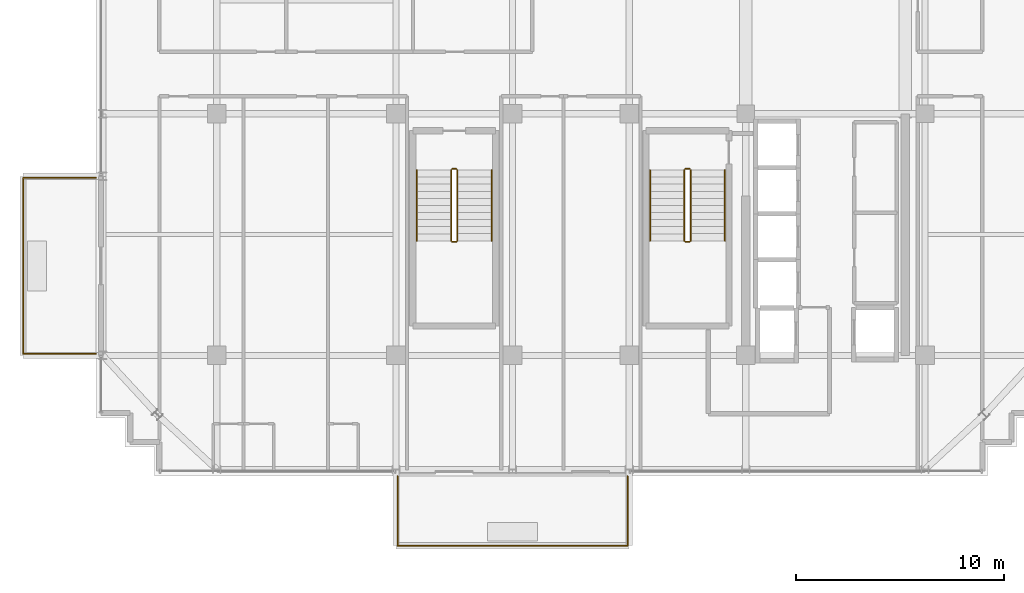
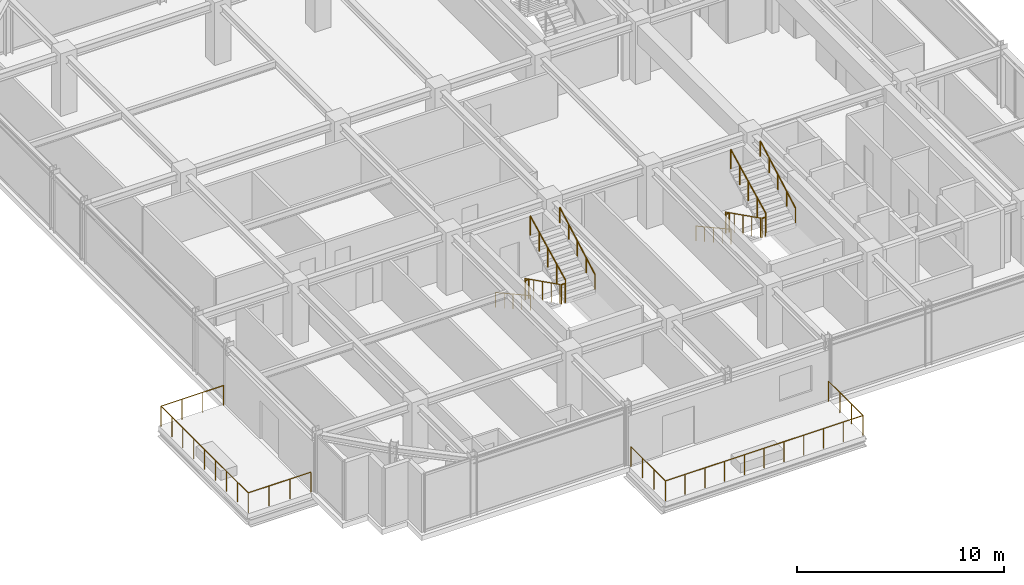
# One storey, part 29 of 31: 14 railings.
"""IFC4 building model written with IfcOpenShell, lengths in metres."""

from ifc_helpers import new_model, si_unit, direction, frame, origin, origin_2d, place, context, subcontext, project, spatial, circle, extrude, material, type_object, element, save


model = new_model("IFC4")

# Units and contexts
model_context = context("Model", 3, precision=1e-05, world=origin(), true_north=direction((0.0, 1.0)))
body_context = subcontext(model_context, "Body", "Model", "MODEL_VIEW")
ifc_project = project(units=[si_unit("LENGTHUNIT", "METRE"), si_unit("AREAUNIT", "SQUARE_METRE"), si_unit("VOLUMEUNIT", "CUBIC_METRE"), si_unit("PLANEANGLEUNIT", "RADIAN"), si_unit("MASSUNIT", "GRAM", prefix="KILO")], contexts=[model_context])

# Site, building, storey
site_placement = place(None, origin())
site = spatial("IfcSite", under=ifc_project, at=site_placement, CompositionType="ELEMENT")
building_placement = place(site_placement, origin())
building = spatial("IfcBuilding", under=site, at=building_placement, Name="Nahalor Promenade Grand Hotel", CompositionType="ELEMENT")
storey_placement = place(building_placement, frame((0.0, 0.0, 277.550048828125)))
storey = spatial("IfcBuildingStorey", under=building, at=storey_placement, Name="L71", CompositionType="ELEMENT", Elevation=277.550048828125)

# Railings
ifc_material_1 = material(Name="Anodised Bronze Aluminium EN AW-6063 T6", Category="aluminium")
railing_type_1 = type_object("IfcRailingType", Name="Bronze Balcony Guardrail 1200 mm", PredefinedType="GUARDRAIL", material=ifc_material_1)
railing_1_placement = place(storey_placement, frame((-8.320068359375, -22.800048828125, 0.0)))
element("IfcRailing", 1, at=railing_1_placement, inside=storey, type_object=railing_type_1, Name="L71 Balcony Guardrail 1", PredefinedType="GUARDRAIL", context=body_context, shape_type="SweptSolid", body=[
    extrude(circle(Radius=0.024048, at=origin_2d()), frame((0.0, 0.0, 1.17578125), z_axis=(0.0, -1.0, 0.0), x_axis=(1.0, 0.0, 0.0)), (0.0, 0.0, 1.0), 3.337890625),
    extrude(circle(Radius=0.024048, at=origin_2d()), frame((0.001953125, -3.33984375, 1.17578125), z_axis=(1.0, 0.0, 0.0), x_axis=(0.0, 1.0, 0.0)), (0.0, 0.0, 1.0), 11.0361328125),
    extrude(circle(Radius=0.024048, at=origin_2d()), frame((11.0400390625, -3.337890625, 1.17578125), z_axis=(0.0, 1.0, 0.0), x_axis=(-1.0, 0.0, 0.0)), (0.0, 0.0, 1.0), 3.337890625),
    extrude(circle(Radius=0.020996, at=origin_2d()), origin(), (0.0, 0.0, 1.0), 1.14990234375),
    extrude(circle(Radius=0.020996, at=origin_2d()), frame((0.0, -1.11328125, 0.0)), (0.0, 0.0, 1.0), 1.14990234375),
    extrude(circle(Radius=0.020996, at=origin_2d()), frame((0.0, -2.2265625, 0.0)), (0.0, 0.0, 1.0), 1.14990234375),
    extrude(circle(Radius=0.020996, at=origin_2d()), frame((0.0, -3.33984375, 0.0)), (0.0, 0.0, 1.0), 1.14990234375),
    extrude(circle(Radius=0.020996, at=origin_2d()), frame((1.10400390625, -3.33984375, 0.0)), (0.0, 0.0, 1.0), 1.14990234375),
    extrude(circle(Radius=0.020996, at=origin_2d()), frame((2.2080078125, -3.33984375, 0.0)), (0.0, 0.0, 1.0), 1.14990234375),
    extrude(circle(Radius=0.020996, at=origin_2d()), frame((3.31201171875, -3.33984375, 0.0)), (0.0, 0.0, 1.0), 1.14990234375),
    extrude(circle(Radius=0.020996, at=origin_2d()), frame((4.416015625, -3.33984375, 0.0)), (0.0, 0.0, 1.0), 1.14990234375),
    extrude(circle(Radius=0.020996, at=origin_2d()), frame((5.52001953125, -3.33984375, 0.0)), (0.0, 0.0, 1.0), 1.14990234375),
    extrude(circle(Radius=0.020996, at=origin_2d()), frame((6.6240234375, -3.33984375, 0.0)), (0.0, 0.0, 1.0), 1.14990234375),
    extrude(circle(Radius=0.020996, at=origin_2d()), frame((7.72802734375, -3.33984375, 0.0)), (0.0, 0.0, 1.0), 1.14990234375),
    extrude(circle(Radius=0.020996, at=origin_2d()), frame((8.83203125, -3.33984375, 0.0)), (0.0, 0.0, 1.0), 1.14990234375),
    extrude(circle(Radius=0.020996, at=origin_2d()), frame((9.93603515625, -3.33984375, 0.0)), (0.0, 0.0, 1.0), 1.14990234375),
    extrude(circle(Radius=0.020996, at=origin_2d()), frame((11.0400390625, -3.33984375, 0.0)), (0.0, 0.0, 1.0), 1.14990234375),
    extrude(circle(Radius=0.020996, at=origin_2d()), frame((11.0400390625, -2.2265625, 0.0)), (0.0, 0.0, 1.0), 1.14990234375),
    extrude(circle(Radius=0.020996, at=origin_2d()), frame((11.0400390625, -1.11328125, 0.0)), (0.0, 0.0, 1.0), 1.14990234375),
    extrude(circle(Radius=0.020996, at=origin_2d()), frame((11.0400390625, 0.0, 0.0)), (0.0, 0.0, 1.0), 1.14990234375),
])
railing_2_placement = place(storey_placement, frame((-22.800048828125, -16.919921875, 0.0)))
element("IfcRailing", 2, at=railing_2_placement, inside=storey, type_object=railing_type_1, Name="L71 Balcony Guardrail 2", PredefinedType="GUARDRAIL", context=body_context, shape_type="SweptSolid", body=[
    extrude(circle(Radius=0.024048, at=origin_2d()), frame((0.0, 0.0, 1.17578125), z_axis=(-1.0, 0.0, 0.0), x_axis=(0.0, -1.0, 0.0)), (0.0, 0.0, 1.0), 3.498046875),
    extrude(circle(Radius=0.024048, at=origin_2d()), frame((-3.5, 0.001953125, 1.17578125), z_axis=(0.0, 1.0, 0.0), x_axis=(-1.0, 0.0, 0.0)), (0.0, 0.0, 1.0), 8.43603515625),
    extrude(circle(Radius=0.024048, at=origin_2d()), frame((-3.498046875, 8.43994140625, 1.17578125), z_axis=(1.0, 0.0, 0.0), x_axis=(0.0, 1.0, 0.0)), (0.0, 0.0, 1.0), 3.498046875),
    extrude(circle(Radius=0.020996, at=origin_2d()), origin(), (0.0, 0.0, 1.0), 1.14990234375),
    extrude(circle(Radius=0.020996, at=origin_2d()), frame((-1.166748046875, 0.0, 0.0)), (0.0, 0.0, 1.0), 1.14990234375),
    extrude(circle(Radius=0.020996, at=origin_2d()), frame((-2.333251953125, 0.0, 0.0)), (0.0, 0.0, 1.0), 1.14990234375),
    extrude(circle(Radius=0.020996, at=origin_2d()), frame((-3.5, 0.0, 0.0)), (0.0, 0.0, 1.0), 1.14990234375),
    extrude(circle(Radius=0.020996, at=origin_2d()), frame((-3.5, 1.054931640625, 0.0)), (0.0, 0.0, 1.0), 1.14990234375),
    extrude(circle(Radius=0.020996, at=origin_2d()), frame((-3.5, 2.10986328125, 0.0)), (0.0, 0.0, 1.0), 1.14990234375),
    extrude(circle(Radius=0.020996, at=origin_2d()), frame((-3.5, 3.1650390625, 0.0)), (0.0, 0.0, 1.0), 1.14990234375),
    extrude(circle(Radius=0.020996, at=origin_2d()), frame((-3.5, 4.219970703125, 0.0)), (0.0, 0.0, 1.0), 1.14990234375),
    extrude(circle(Radius=0.020996, at=origin_2d()), frame((-3.5, 5.27490234375, 0.0)), (0.0, 0.0, 1.0), 1.14990234375),
    extrude(circle(Radius=0.020996, at=origin_2d()), frame((-3.5, 6.330078125, 0.0)), (0.0, 0.0, 1.0), 1.14990234375),
    extrude(circle(Radius=0.020996, at=origin_2d()), frame((-3.5, 7.385009765625, 0.0)), (0.0, 0.0, 1.0), 1.14990234375),
    extrude(circle(Radius=0.020996, at=origin_2d()), frame((-3.5, 8.43994140625, 0.0)), (0.0, 0.0, 1.0), 1.14990234375),
    extrude(circle(Radius=0.020996, at=origin_2d()), frame((-2.333251953125, 8.43994140625, 0.0)), (0.0, 0.0, 1.0), 1.14990234375),
    extrude(circle(Radius=0.020996, at=origin_2d()), frame((-1.166748046875, 8.43994140625, 0.0)), (0.0, 0.0, 1.0), 1.14990234375),
    extrude(circle(Radius=0.020996, at=origin_2d()), frame((0.0, 8.43994140625, 0.0)), (0.0, 0.0, 1.0), 1.14990234375),
])
ifc_material_2 = material(Name="Steel S355JR", Category="steel")
railing_type_2 = type_object("IfcRailingType", Name="Steel Stair Guardrail 1150 mm", PredefinedType="GUARDRAIL", material=ifc_material_2)
railing_3_placement = place(storey_placement, frame((5.449951171875, -8.10009765625, 0.17041015625)))
element("IfcRailing", 3, at=railing_3_placement, inside=storey, type_object=railing_type_2, Name="L71 ST2 stair guard 1", PredefinedType="GUARDRAIL", context=body_context, shape_type="SweptSolid", body=[
    extrude(circle(Radius=0.024048, at=origin_2d()), frame((0.0, 0.0, 1.1259765625), z_axis=(0.0, -0.89393879905, 0.448189048899), x_axis=(1.0, 0.0, 0.0)), (0.0, 0.0, 1.0), 3.80322265625),
    extrude(circle(Radius=0.020996, at=origin_2d()), origin(), (0.0, 0.0, 1.0), 1.099853515625),
    extrude(circle(Radius=0.020996, at=origin_2d()), frame((0.0, -0.85009765625, 0.42626953125)), (0.0, 0.0, 1.0), 1.099853515625),
    extrude(circle(Radius=0.020996, at=origin_2d()), frame((0.0, -1.699951171875, 0.852294921875)), (0.0, 0.0, 1.0), 1.099853515625),
    extrude(circle(Radius=0.020996, at=origin_2d()), frame((0.0, -2.5498046875, 1.2783203125)), (0.0, 0.0, 1.0), 1.099853515625),
    extrude(circle(Radius=0.020996, at=origin_2d()), frame((0.0, -3.39990234375, 1.70458984375)), (0.0, 0.0, 1.0), 1.099853515625),
])
railing_4_placement = place(storey_placement, frame((5.5, -11.550048828125, 1.875)))
element("IfcRailing", 4, at=railing_4_placement, inside=storey, type_object=railing_type_2, Name="L71 ST2 stair guard 2", PredefinedType="GUARDRAIL", context=body_context, shape_type="SweptSolid", body=[
    extrude(circle(Radius=0.024048, at=origin_2d()), frame((0.0, 0.0, 1.1259765625), z_axis=(1.0, 0.0, 0.0), x_axis=(0.0, 1.0, 0.0)), (0.0, 0.0, 1.0), 0.199951171875),
    extrude(circle(Radius=0.020996, at=origin_2d()), origin(), (0.0, 0.0, 1.0), 1.099853515625),
    extrude(circle(Radius=0.020996, at=origin_2d()), frame((0.199951171875, 0.0, 0.0)), (0.0, 0.0, 1.0), 1.099853515625),
])
railing_5_placement = place(storey_placement, frame((5.75, -11.5, 2.04541015625)))
element("IfcRailing", 5, at=railing_5_placement, inside=storey, type_object=railing_type_2, Name="L71 ST2 stair guard 3", PredefinedType="GUARDRAIL", context=body_context, shape_type="SweptSolid", body=[
    extrude(circle(Radius=0.024048, at=origin_2d()), frame((0.0, 0.0, 1.1259765625), z_axis=(0.0, 0.89393879905, 0.448189048899), x_axis=(-1.0, 0.0, 0.0)), (0.0, 0.0, 1.0), 3.80322265625),
    extrude(circle(Radius=0.020996, at=origin_2d()), origin(), (0.0, 0.0, 1.0), 1.099853515625),
    extrude(circle(Radius=0.020996, at=origin_2d()), frame((0.0, 0.85009765625, 0.42626953125)), (0.0, 0.0, 1.0), 1.099853515625),
    extrude(circle(Radius=0.020996, at=origin_2d()), frame((0.0, 1.699951171875, 0.852294921875)), (0.0, 0.0, 1.0), 1.099853515625),
    extrude(circle(Radius=0.020996, at=origin_2d()), frame((0.0, 2.5498046875, 1.2783203125)), (0.0, 0.0, 1.0), 1.099853515625),
    extrude(circle(Radius=0.020996, at=origin_2d()), frame((0.0, 3.39990234375, 1.70458984375)), (0.0, 0.0, 1.0), 1.099853515625),
])
railing_6_placement = place(storey_placement, frame((5.5, -8.050048828125, 0.0)))
element("IfcRailing", 6, at=railing_6_placement, inside=storey, type_object=railing_type_2, Name="L71 ST2 stair guard 4", PredefinedType="GUARDRAIL", context=body_context, shape_type="SweptSolid", body=[
    extrude(circle(Radius=0.024048, at=origin_2d()), frame((0.0, 0.0, 1.1259765625), z_axis=(1.0, 0.0, 0.0), x_axis=(0.0, 1.0, 0.0)), (0.0, 0.0, 1.0), 0.199951171875),
    extrude(circle(Radius=0.020996, at=origin_2d()), origin(), (0.0, 0.0, 1.0), 1.099853515625),
    extrude(circle(Radius=0.020996, at=origin_2d()), frame((0.199951171875, 0.0, 0.0)), (0.0, 0.0, 1.0), 1.099853515625),
])
railing_7_placement = place(storey_placement, frame((-5.75, -8.10009765625, 0.17041015625)))
element("IfcRailing", 7, at=railing_7_placement, inside=storey, type_object=railing_type_2, Name="L71 ST3 stair guard 1", PredefinedType="GUARDRAIL", context=body_context, shape_type="SweptSolid", body=[
    extrude(circle(Radius=0.024048, at=origin_2d()), frame((0.0, 0.0, 1.1259765625), z_axis=(0.0, -0.89393879905, 0.448189048899), x_axis=(1.0, 0.0, 0.0)), (0.0, 0.0, 1.0), 3.80322265625),
    extrude(circle(Radius=0.020996, at=origin_2d()), origin(), (0.0, 0.0, 1.0), 1.099853515625),
    extrude(circle(Radius=0.020996, at=origin_2d()), frame((0.0, -0.85009765625, 0.42626953125)), (0.0, 0.0, 1.0), 1.099853515625),
    extrude(circle(Radius=0.020996, at=origin_2d()), frame((0.0, -1.699951171875, 0.852294921875)), (0.0, 0.0, 1.0), 1.099853515625),
    extrude(circle(Radius=0.020996, at=origin_2d()), frame((0.0, -2.5498046875, 1.2783203125)), (0.0, 0.0, 1.0), 1.099853515625),
    extrude(circle(Radius=0.020996, at=origin_2d()), frame((0.0, -3.39990234375, 1.70458984375)), (0.0, 0.0, 1.0), 1.099853515625),
])
railing_8_placement = place(storey_placement, frame((-5.699951171875, -11.550048828125, 1.875)))
element("IfcRailing", 8, at=railing_8_placement, inside=storey, type_object=railing_type_2, Name="L71 ST3 stair guard 2", PredefinedType="GUARDRAIL", context=body_context, shape_type="SweptSolid", body=[
    extrude(circle(Radius=0.024048, at=origin_2d()), frame((0.0, 0.0, 1.1259765625), z_axis=(1.0, 0.0, 0.0), x_axis=(0.0, 1.0, 0.0)), (0.0, 0.0, 1.0), 0.199951171875),
    extrude(circle(Radius=0.020996, at=origin_2d()), origin(), (0.0, 0.0, 1.0), 1.099853515625),
    extrude(circle(Radius=0.020996, at=origin_2d()), frame((0.199951171875, 0.0, 0.0)), (0.0, 0.0, 1.0), 1.099853515625),
])
railing_9_placement = place(storey_placement, frame((-5.449951171875, -11.5, 2.04541015625)))
element("IfcRailing", 9, at=railing_9_placement, inside=storey, type_object=railing_type_2, Name="L71 ST3 stair guard 3", PredefinedType="GUARDRAIL", context=body_context, shape_type="SweptSolid", body=[
    extrude(circle(Radius=0.024048, at=origin_2d()), frame((0.0, 0.0, 1.1259765625), z_axis=(0.0, 0.89393879905, 0.448189048899), x_axis=(-1.0, 0.0, 0.0)), (0.0, 0.0, 1.0), 3.80322265625),
    extrude(circle(Radius=0.020996, at=origin_2d()), origin(), (0.0, 0.0, 1.0), 1.099853515625),
    extrude(circle(Radius=0.020996, at=origin_2d()), frame((0.0, 0.85009765625, 0.42626953125)), (0.0, 0.0, 1.0), 1.099853515625),
    extrude(circle(Radius=0.020996, at=origin_2d()), frame((0.0, 1.699951171875, 0.852294921875)), (0.0, 0.0, 1.0), 1.099853515625),
    extrude(circle(Radius=0.020996, at=origin_2d()), frame((0.0, 2.5498046875, 1.2783203125)), (0.0, 0.0, 1.0), 1.099853515625),
    extrude(circle(Radius=0.020996, at=origin_2d()), frame((0.0, 3.39990234375, 1.70458984375)), (0.0, 0.0, 1.0), 1.099853515625),
])
railing_10_placement = place(storey_placement, frame((-5.699951171875, -8.050048828125, 0.0)))
element("IfcRailing", 10, at=railing_10_placement, inside=storey, type_object=railing_type_2, Name="L71 ST3 stair guard 4", PredefinedType="GUARDRAIL", context=body_context, shape_type="SweptSolid", body=[
    extrude(circle(Radius=0.024048, at=origin_2d()), frame((0.0, 0.0, 1.1259765625), z_axis=(1.0, 0.0, 0.0), x_axis=(0.0, 1.0, 0.0)), (0.0, 0.0, 1.0), 0.199951171875),
    extrude(circle(Radius=0.020996, at=origin_2d()), origin(), (0.0, 0.0, 1.0), 1.099853515625),
    extrude(circle(Radius=0.020996, at=origin_2d()), frame((0.199951171875, 0.0, 0.0)), (0.0, 0.0, 1.0), 1.099853515625),
])
railing_type_3 = type_object("IfcRailingType", Name="Steel Stair Handrail 900 mm", PredefinedType="HANDRAIL", material=ifc_material_2)
railing_11_placement = place(storey_placement, frame((3.800048828125, -8.10009765625, 0.17041015625)))
element("IfcRailing", 11, at=railing_11_placement, inside=storey, type_object=railing_type_3, Name="L71 ST2 stair handrail 1", PredefinedType="HANDRAIL", context=body_context, shape_type="SweptSolid", body=[
    extrude(circle(Radius=0.024048, at=origin_2d()), frame((0.0, 0.0, 0.8759765625), z_axis=(0.0, -0.875665712831, 0.482917756322), x_axis=(1.0, 0.0, 0.0)), (0.0, 0.0, 1.0), 3.882568359375),
    extrude(circle(Radius=0.020996, at=origin_2d()), origin(), (0.0, 0.0, 1.0), 0.849853515625),
    extrude(circle(Radius=0.020996, at=origin_2d()), frame((0.0, -0.85009765625, 0.46875)), (0.0, 0.0, 1.0), 0.849853515625),
    extrude(circle(Radius=0.020996, at=origin_2d()), frame((0.0, -1.699951171875, 0.9375)), (0.0, 0.0, 1.0), 0.849853515625),
    extrude(circle(Radius=0.020996, at=origin_2d()), frame((0.0, -2.5498046875, 1.40625)), (0.0, 0.0, 1.0), 0.849853515625),
    extrude(circle(Radius=0.020996, at=origin_2d()), frame((0.0, -3.39990234375, 1.875)), (0.0, 0.0, 1.0), 0.849853515625),
])
railing_12_placement = place(storey_placement, frame((7.39990234375, -11.5, 2.04541015625)))
element("IfcRailing", 12, at=railing_12_placement, inside=storey, type_object=railing_type_3, Name="L71 ST2 stair handrail 2", PredefinedType="HANDRAIL", context=body_context, shape_type="SweptSolid", body=[
    extrude(circle(Radius=0.024048, at=origin_2d()), frame((0.0, 0.0, 0.8759765625), z_axis=(0.0, 0.875665712831, 0.482917756322), x_axis=(-1.0, 0.0, 0.0)), (0.0, 0.0, 1.0), 3.882568359375),
    extrude(circle(Radius=0.020996, at=origin_2d()), origin(), (0.0, 0.0, 1.0), 0.849853515625),
    extrude(circle(Radius=0.020996, at=origin_2d()), frame((0.0, 0.85009765625, 0.46875)), (0.0, 0.0, 1.0), 0.849853515625),
    extrude(circle(Radius=0.020996, at=origin_2d()), frame((0.0, 1.699951171875, 0.9375)), (0.0, 0.0, 1.0), 0.849853515625),
    extrude(circle(Radius=0.020996, at=origin_2d()), frame((0.0, 2.5498046875, 1.40625)), (0.0, 0.0, 1.0), 0.849853515625),
    extrude(circle(Radius=0.020996, at=origin_2d()), frame((0.0, 3.39990234375, 1.875)), (0.0, 0.0, 1.0), 0.849853515625),
])
railing_13_placement = place(storey_placement, frame((-7.39990234375, -8.10009765625, 0.17041015625)))
element("IfcRailing", 13, at=railing_13_placement, inside=storey, type_object=railing_type_3, Name="L71 ST3 stair handrail 1", PredefinedType="HANDRAIL", context=body_context, shape_type="SweptSolid", body=[
    extrude(circle(Radius=0.024048, at=origin_2d()), frame((0.0, 0.0, 0.8759765625), z_axis=(0.0, -0.875665712831, 0.482917756322), x_axis=(1.0, 0.0, 0.0)), (0.0, 0.0, 1.0), 3.882568359375),
    extrude(circle(Radius=0.020996, at=origin_2d()), origin(), (0.0, 0.0, 1.0), 0.849853515625),
    extrude(circle(Radius=0.020996, at=origin_2d()), frame((0.0, -0.85009765625, 0.46875)), (0.0, 0.0, 1.0), 0.849853515625),
    extrude(circle(Radius=0.020996, at=origin_2d()), frame((0.0, -1.699951171875, 0.9375)), (0.0, 0.0, 1.0), 0.849853515625),
    extrude(circle(Radius=0.020996, at=origin_2d()), frame((0.0, -2.5498046875, 1.40625)), (0.0, 0.0, 1.0), 0.849853515625),
    extrude(circle(Radius=0.020996, at=origin_2d()), frame((0.0, -3.39990234375, 1.875)), (0.0, 0.0, 1.0), 0.849853515625),
])
railing_14_placement = place(storey_placement, frame((-3.800048828125, -11.5, 2.04541015625)))
element("IfcRailing", 14, at=railing_14_placement, inside=storey, type_object=railing_type_3, Name="L71 ST3 stair handrail 2", PredefinedType="HANDRAIL", context=body_context, shape_type="SweptSolid", body=[
    extrude(circle(Radius=0.024048, at=origin_2d()), frame((0.0, 0.0, 0.8759765625), z_axis=(0.0, 0.875665712831, 0.482917756322), x_axis=(-1.0, 0.0, 0.0)), (0.0, 0.0, 1.0), 3.882568359375),
    extrude(circle(Radius=0.020996, at=origin_2d()), origin(), (0.0, 0.0, 1.0), 0.849853515625),
    extrude(circle(Radius=0.020996, at=origin_2d()), frame((0.0, 0.85009765625, 0.46875)), (0.0, 0.0, 1.0), 0.849853515625),
    extrude(circle(Radius=0.020996, at=origin_2d()), frame((0.0, 1.699951171875, 0.9375)), (0.0, 0.0, 1.0), 0.849853515625),
    extrude(circle(Radius=0.020996, at=origin_2d()), frame((0.0, 2.5498046875, 1.40625)), (0.0, 0.0, 1.0), 0.849853515625),
    extrude(circle(Radius=0.020996, at=origin_2d()), frame((0.0, 3.39990234375, 1.875)), (0.0, 0.0, 1.0), 0.849853515625),
])

save(model, "model.ifc")
